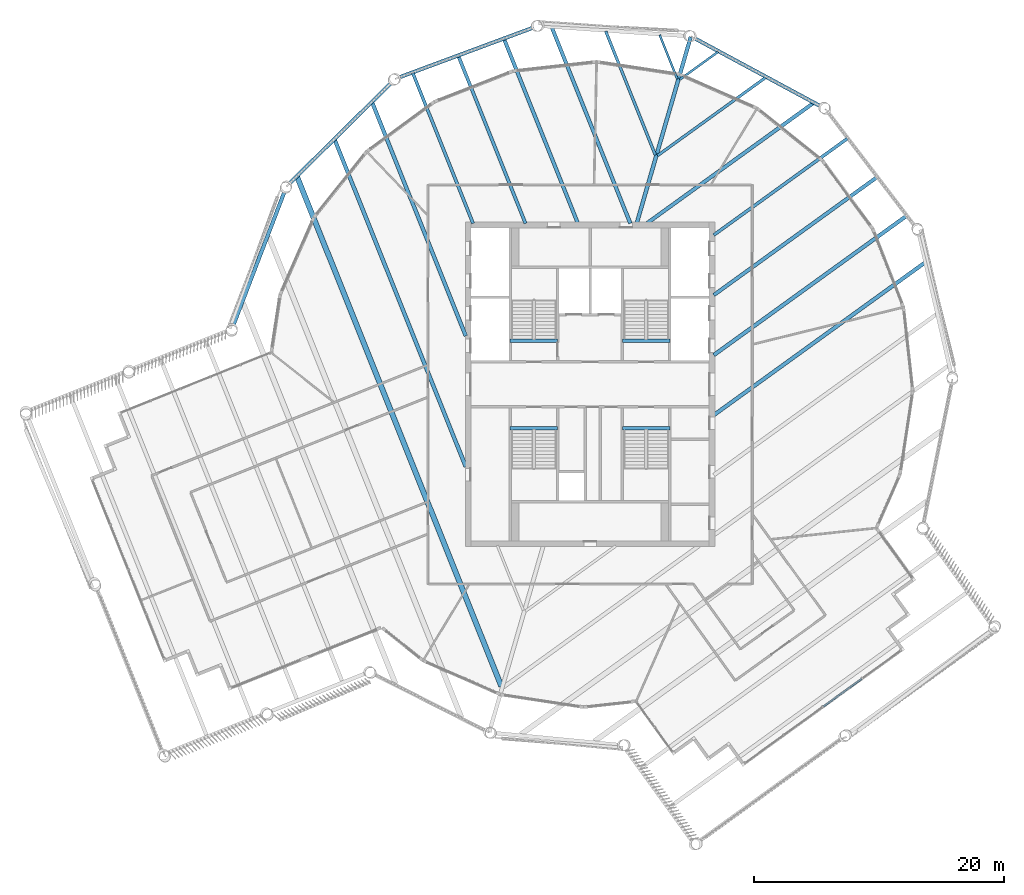
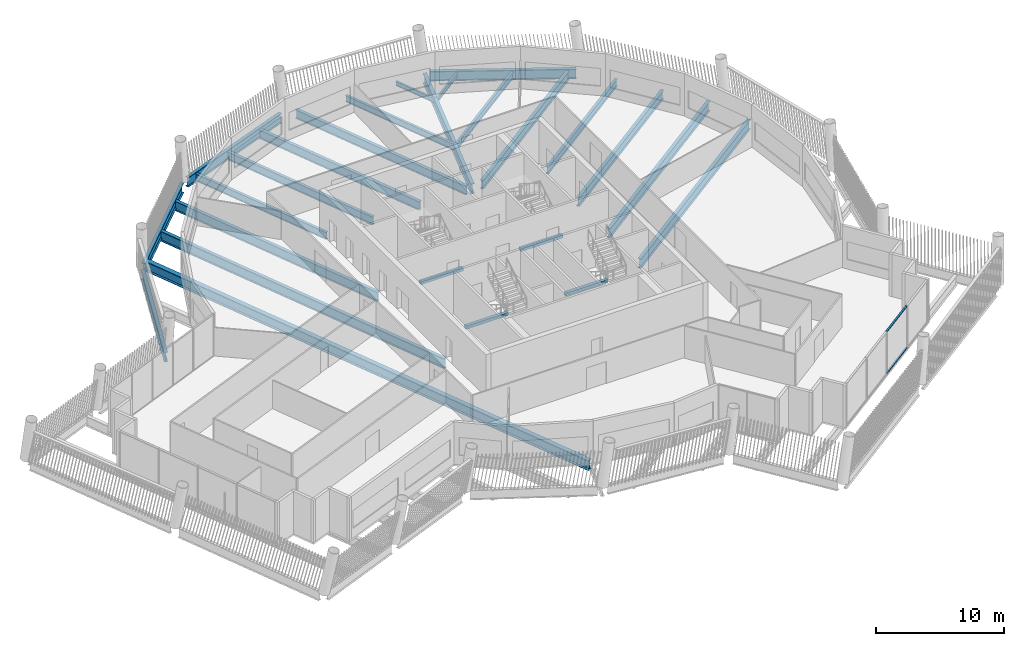
# One storey, part 13 of 27: 25 beams, 2 members, 1 element without a shape of its own.
"""IFC4 building model written with IfcOpenShell, lengths in metres."""

from ifc_helpers import new_model, si_unit, direction, frame, origin, origin_2d, place, context, subcontext, project, spatial, rectangle, hollow_rectangle, i_section, extrude, material, layer, layer_set, material_profile, profile_set, type_object, element, aggregate, save


model = new_model("IFC4")

# Units and contexts
model_context = context("Model", 3, precision=1e-05, world=origin(), true_north=direction((0.0, 1.0)))
body_context = subcontext(model_context, "Body", "Model", "MODEL_VIEW")
ifc_project = project(units=[si_unit("LENGTHUNIT", "METRE"), si_unit("AREAUNIT", "SQUARE_METRE"), si_unit("VOLUMEUNIT", "CUBIC_METRE"), si_unit("PLANEANGLEUNIT", "RADIAN"), si_unit("MASSUNIT", "GRAM", prefix="KILO")], contexts=[model_context])

# Site, building, storey
site_placement = place(None, origin())
site = spatial("IfcSite", under=ifc_project, at=site_placement, CompositionType="ELEMENT")
building_placement = place(site_placement, origin())
building = spatial("IfcBuilding", under=site, at=building_placement, Name="Tarsis Ring Headquarters", CompositionType="ELEMENT")
storey_placement = place(building_placement, frame((0.0, 0.0, 373.39990234375)))
storey = spatial("IfcBuildingStorey", under=building, at=storey_placement, Name="L88", CompositionType="ELEMENT", Elevation=373.39990234375)

# Curtain wall, members
ifc_material_1 = material(Name="Aluminium curtain wall", Category="aluminium")
ifc_layer = layer(ifc_material_1, 0.199951171875)
ifc_layer_set = layer_set([ifc_layer], Name="Curtain wall executive tip")
curtain_wall_type = type_object("IfcCurtainWallType", Name="Curtain wall executive tip", PredefinedType="NOTDEFINED", material=ifc_layer_set)
curtain_wall_placement = place(storey_placement, origin())
curtain_wall = element("IfcCurtainWall", 1, at=curtain_wall_placement, inside=storey, type_object=curtain_wall_type, Name="Curtain wall L88-11", PredefinedType="NOTDEFINED")
ifc_material_2 = material(Name="Aluminium transom", Category="aluminium")
ifc_material_profile_1 = material_profile(ifc_material_2, hollow_rectangle(XDim=0.159912109375, YDim=0.070068359375, WallThickness=0.0048828125, at=origin_2d()), Name="RHS 160x70x5")
ifc_profile_set_1 = profile_set([ifc_material_profile_1], Name="Aluminium transom")
member_type = type_object("IfcMemberType", Name="Curtain wall transom executive tip RHS 160x70x5", PredefinedType="USERDEFINED", material=ifc_profile_set_1)
member_1_placement = place(storey_placement, frame((18.69189453125, -25.819091796875, 0.03515625), z_axis=(0.810665692277, 0.585509295712, 0.0), x_axis=(-0.585509295712, 0.810665692277, 0.0)))
member_1 = element("IfcMember", 2, at=member_1_placement, type_object=member_type, Name="CW-E transom 3.1", ObjectType="TRANSOM", PredefinedType="USERDEFINED", context=body_context, shape_type="SweptSolid", body=[
    extrude(hollow_rectangle(XDim=0.159912109375, YDim=0.070068359375, WallThickness=0.0048828125, at=origin_2d()), origin(), (0.0, 0.0, 1.0), 3.804931640625),
])
member_2_placement = place(storey_placement, frame((18.69189453125, -25.819091796875, 4.005126953125), z_axis=(0.810665692277, 0.585509295712, 0.0), x_axis=(-0.585509295712, 0.810665692277, 0.0)))
member_2 = element("IfcMember", 3, at=member_2_placement, type_object=member_type, Name="CW-E transom 3.2", ObjectType="TRANSOM", PredefinedType="USERDEFINED", context=body_context, shape_type="SweptSolid", body=[
    extrude(hollow_rectangle(XDim=0.159912109375, YDim=0.070068359375, WallThickness=0.0048828125, at=origin_2d()), origin(), (0.0, 0.0, 1.0), 3.804931640625),
])
aggregate(curtain_wall, [member_1, member_2])

# Beams
ifc_material_3 = material(Name="Structural steel S355", Category="steel")
ifc_material_profile_2 = material_profile(ifc_material_3, i_section(OverallWidth=0.177734375, OverallDepth=0.406494140625, WebThickness=0.0078125, FlangeThickness=0.0126953125, at=origin_2d()), Name="W16x40")
ifc_profile_set_2 = profile_set([ifc_material_profile_2], Name="Structural steel S355")
beam_type_1 = type_object("IfcBeamType", Name="FB Floor beam W16x40", PredefinedType="JOIST", material=ifc_profile_set_2)
for number, where, z_axis, x_axis, name in (
    (4, (7.17529296875, 24.42626953125, -0.363037109375), (0.810642033547, 0.585542050964, 0.0), (-0.585542050964, 0.810642033547, 0.0), "Floor beam FB1"),
    (5, (5.5791015625, 28.012939453125, -0.363037109375), (0.372042759972, -0.928215591742, 0.0), (0.928215591742, 0.372042759972, 0.0), "Floor beam FB1"),
):
    element("IfcBeam", number, at=place(storey_placement, frame(where, z_axis=z_axis, x_axis=x_axis)), inside=storey, type_object=beam_type_1, Name=name, PredefinedType="JOIST", context=body_context, shape_type="SweptSolid", body=[
        extrude(i_section(OverallWidth=0.177734375, OverallDepth=0.406494140625, WebThickness=0.0078125, FlangeThickness=0.0126953125, at=origin_2d()), origin(), (0.0, 0.0, 1.0), 3.80810546875),
    ])
ifc_material_profile_3 = material_profile(ifc_material_3, i_section(OverallWidth=0.228271484375, OverallDepth=0.607177734375, WebThickness=0.01123046875, FlangeThickness=0.017333984375, at=origin_2d()), Name="W24x76")
ifc_profile_set_3 = profile_set([ifc_material_profile_3], Name="Structural steel S355")
beam_type_2 = type_object("IfcBeamType", Name="FB Floor beam W24x76", PredefinedType="JOIST", material=ifc_profile_set_3)
beam_1_placement = place(storey_placement, frame((5.412109375, 18.341796875, -0.46337890625), z_axis=(0.810659952551, 0.585517242555, 0.0), x_axis=(-0.585517242555, 0.810659952551, 0.0)))
element("IfcBeam", 6, at=beam_1_placement, inside=storey, type_object=beam_type_2, Name="Floor beam FB4", PredefinedType="JOIST", context=body_context, shape_type="SweptSolid", body=[
    extrude(i_section(OverallWidth=0.228271484375, OverallDepth=0.607177734375, WebThickness=0.01123046875, FlangeThickness=0.017333984375, at=origin_2d()), origin(), (0.0, 0.0, 1.0), 10.687744140625),
])
beam_2_placement = place(storey_placement, frame((1.2568359375, 28.314208984375, -0.46337890625), z_axis=(0.372008948144, -0.928229143316, 0.0), x_axis=(0.928229143316, 0.372008948144, 0.0)))
element("IfcBeam", 7, at=beam_2_placement, inside=storey, type_object=beam_type_2, Name="Floor beam FB4", PredefinedType="JOIST", context=body_context, shape_type="SweptSolid", body=[
    extrude(i_section(OverallWidth=0.228271484375, OverallDepth=0.607177734375, WebThickness=0.01123046875, FlangeThickness=0.017333984375, at=origin_2d()), origin(), (0.0, 0.0, 1.0), 10.6875),
])
ifc_material_profile_4 = material_profile(ifc_material_3, i_section(OverallWidth=0.2529296875, OverallDepth=0.67822265625, WebThickness=0.01171875, FlangeThickness=0.016357421875, at=origin_2d()), Name="W27x84")
ifc_profile_set_4 = profile_set([ifc_material_profile_4], Name="Structural steel S355")
beam_type_3 = type_object("IfcBeamType", Name="FB Floor beam W27x84", PredefinedType="JOIST", material=ifc_profile_set_4)
beam_3_placement = place(storey_placement, frame((9.9189453125, 11.97509765625, -0.4990234375), z_axis=(0.810653864477, 0.58552567152, 0.0), x_axis=(-0.58552567152, 0.810653864477, 0.0)))
element("IfcBeam", 8, at=beam_3_placement, inside=storey, type_object=beam_type_3, Name="Floor beam FB5", PredefinedType="JOIST", context=body_context, shape_type="SweptSolid", body=[
    extrude(i_section(OverallWidth=0.2529296875, OverallDepth=0.67822265625, WebThickness=0.01171875, FlangeThickness=0.016357421875, at=origin_2d()), origin(), (0.0, 0.0, 1.0), 13.198974609375),
])
beam_4_placement = place(storey_placement, frame((-14.205322265625, 24.960693359375, -0.4990234375), z_axis=(0.372016212915, -0.92822623176, 0.0), x_axis=(0.92822623176, 0.372016212915, 0.0)))
element("IfcBeam", 9, at=beam_4_placement, inside=storey, type_object=beam_type_3, Name="Floor beam FB5", PredefinedType="JOIST", context=body_context, shape_type="SweptSolid", body=[
    extrude(i_section(OverallWidth=0.2529296875, OverallDepth=0.67822265625, WebThickness=0.01171875, FlangeThickness=0.016357421875, at=origin_2d()), origin(), (0.0, 0.0, 1.0), 12.985595703125),
])
ifc_material_profile_5 = material_profile(ifc_material_3, i_section(OverallWidth=0.2666015625, OverallDepth=0.7568359375, WebThickness=0.013916015625, FlangeThickness=0.019287109375, at=origin_2d()), Name="W30x108")
ifc_profile_set_5 = profile_set([ifc_material_profile_5], Name="Structural steel S355")
beam_type_4 = type_object("IfcBeamType", Name="FB Floor beam W30x108", PredefinedType="JOIST", material=ifc_profile_set_5)
beam_5_placement = place(storey_placement, frame((-10.547607421875, 26.317626953125, -0.538330078125), z_axis=(0.372022831233, -0.928223579232, 0.0), x_axis=(0.928223579232, 0.372022831233, 0.0)))
element("IfcBeam", 10, at=beam_5_placement, inside=storey, type_object=beam_type_4, Name="Floor beam FB6", PredefinedType="JOIST", context=body_context, shape_type="SweptSolid", body=[
    extrude(i_section(OverallWidth=0.2666015625, OverallDepth=0.7568359375, WebThickness=0.013916015625, FlangeThickness=0.019287109375, at=origin_2d()), origin(), (0.0, 0.0, 1.0), 14.447265625),
])
ifc_material_profile_6 = material_profile(ifc_material_3, i_section(OverallWidth=0.2919921875, OverallDepth=0.835693359375, WebThickness=0.013916015625, FlangeThickness=0.018798828125, at=origin_2d()), Name="W33x118")
ifc_profile_set_6 = profile_set([ifc_material_profile_6], Name="Structural steel S355")
beam_type_5 = type_object("IfcBeamType", Name="FB Floor beam W33x118", PredefinedType="JOIST", material=ifc_profile_set_6)
beam_6_placement = place(storey_placement, frame((4.595947265625, 12.94140625, -0.57763671875), z_axis=(0.810654103111, 0.585525341133, 0.0), x_axis=(-0.585525341133, 0.810654103111, 0.0)))
element("IfcBeam", 11, at=beam_6_placement, inside=storey, type_object=beam_type_5, Name="Floor beam FB7", PredefinedType="JOIST", context=body_context, shape_type="SweptSolid", body=[
    extrude(i_section(OverallWidth=0.2919921875, OverallDepth=0.835693359375, WebThickness=0.013916015625, FlangeThickness=0.018798828125, at=origin_2d()), origin(), (0.0, 0.0, 1.0), 16.39892578125),
])
beam_7_placement = place(storey_placement, frame((9.9189453125, 7.164306640625, -0.57763671875), z_axis=(0.81065566047, 0.585523184979, 0.0), x_axis=(-0.585523184979, 0.81065566047, 0.0)))
element("IfcBeam", 12, at=beam_7_placement, inside=storey, type_object=beam_type_5, Name="Floor beam FB7", PredefinedType="JOIST", context=body_context, shape_type="SweptSolid", body=[
    extrude(i_section(OverallWidth=0.2919921875, OverallDepth=0.835693359375, WebThickness=0.013916015625, FlangeThickness=0.018798828125, at=origin_2d()), origin(), (0.0, 0.0, 1.0), 16.11669921875),
])
beam_8_placement = place(storey_placement, frame((-3.0654296875, 28.61572265625, -0.57763671875), z_axis=(0.372014909528, -0.928226754133, 0.0), x_axis=(0.928226754133, 0.372014909528, 0.0)))
element("IfcBeam", 13, at=beam_8_placement, inside=storey, type_object=beam_type_5, Name="Floor beam FB7", PredefinedType="JOIST", context=body_context, shape_type="SweptSolid", body=[
    extrude(i_section(OverallWidth=0.2919921875, OverallDepth=0.835693359375, WebThickness=0.013916015625, FlangeThickness=0.018798828125, at=origin_2d()), origin(), (0.0, 0.0, 1.0), 16.923095703125),
])
beam_9_placement = place(storey_placement, frame((-6.889892578125, 27.674560546875, -0.57763671875), z_axis=(0.372015011249, -0.928226713366, 0.0), x_axis=(0.928226713366, 0.372015011249, 0.0)))
element("IfcBeam", 14, at=beam_9_placement, inside=storey, type_object=beam_type_5, Name="Floor beam FB7", PredefinedType="JOIST", context=body_context, shape_type="SweptSolid", body=[
    extrude(i_section(OverallWidth=0.2919921875, OverallDepth=0.835693359375, WebThickness=0.013916015625, FlangeThickness=0.018798828125, at=origin_2d()), origin(), (0.0, 0.0, 1.0), 15.9091796875),
])
ifc_material_profile_7 = material_profile(ifc_material_3, i_section(OverallWidth=0.3046875, OverallDepth=0.904296875, WebThickness=0.01513671875, FlangeThickness=0.02001953125, at=origin_2d()), Name="W36x135")
ifc_profile_set_7 = profile_set([ifc_material_profile_7], Name="Structural steel S355")
beam_type_6 = type_object("IfcBeamType", Name="FB Floor beam W36x135", PredefinedType="JOIST", material=ifc_profile_set_7)
beam_10_placement = place(storey_placement, frame((9.9189453125, 2.353271484375, -0.612060546875), z_axis=(0.810655215099, 0.585523801593, 0.0), x_axis=(-0.585523801593, 0.810655215099, 0.0)))
element("IfcBeam", 15, at=beam_10_placement, inside=storey, type_object=beam_type_6, Name="Floor beam FB8", PredefinedType="JOIST", context=body_context, shape_type="SweptSolid", body=[
    extrude(i_section(OverallWidth=0.3046875, OverallDepth=0.904296875, WebThickness=0.01513671875, FlangeThickness=0.02001953125, at=origin_2d()), origin(), (0.0, 0.0, 1.0), 19.03515625),
])
beam_11_placement = place(storey_placement, frame((9.9189453125, -2.45751953125, -0.612060546875), z_axis=(0.810657007077, 0.5855213206, 0.0), x_axis=(-0.5855213206, 0.810657007077, 0.0)))
element("IfcBeam", 16, at=beam_11_placement, inside=storey, type_object=beam_type_6, Name="Floor beam FB8", PredefinedType="JOIST", context=body_context, shape_type="SweptSolid", body=[
    extrude(i_section(OverallWidth=0.3046875, OverallDepth=0.904296875, WebThickness=0.01513671875, FlangeThickness=0.02001953125, at=origin_2d()), origin(), (0.0, 0.0, 1.0), 20.85986328125),
])
beam_12_placement = place(storey_placement, frame((-17.456298828125, 22.589111328125, -0.612060546875), z_axis=(0.372007055855, -0.928229901692, 0.0), x_axis=(0.928229901692, 0.372007055855, 0.0)))
element("IfcBeam", 17, at=beam_12_placement, inside=storey, type_object=beam_type_6, Name="Floor beam FB8", PredefinedType="JOIST", context=body_context, shape_type="SweptSolid", body=[
    extrude(i_section(OverallWidth=0.3046875, OverallDepth=0.904296875, WebThickness=0.01513671875, FlangeThickness=0.02001953125, at=origin_2d()), origin(), (0.0, 0.0, 1.0), 20.14306640625),
])
ifc_material_profile_8 = material_profile(ifc_material_3, i_section(OverallWidth=0.309814453125, OverallDepth=0.949951171875, WebThickness=0.0244140625, FlangeThickness=0.0439453125, at=origin_2d()), Name="W36x256")
ifc_profile_set_8 = profile_set([ifc_material_profile_8], Name="Structural steel S355")
beam_type_7 = type_object("IfcBeamType", Name="FB Floor beam W36x256", PredefinedType="JOIST", material=ifc_profile_set_8)
beam_13_placement = place(storey_placement, frame((-20.46484375, 19.6123046875, -0.635009765625), z_axis=(0.37201087801, -0.928228369876, 0.0), x_axis=(0.928228369876, 0.37201087801, 0.0)))
element("IfcBeam", 18, at=beam_13_placement, inside=storey, type_object=beam_type_7, Name="Floor beam FB11", PredefinedType="JOIST", context=body_context, shape_type="SweptSolid", body=[
    extrude(i_section(OverallWidth=0.309814453125, OverallDepth=0.949951171875, WebThickness=0.0244140625, FlangeThickness=0.0439453125, at=origin_2d()), origin(), (0.0, 0.0, 1.0), 28.230224609375),
])
beam_type_8 = type_object("IfcBeamType", Name="FB Floor beam W36x256 spine", PredefinedType="BEAM", material=ifc_profile_set_8)
beam_14_placement = place(storey_placement, frame((8.0693359375, 27.84716796875, -0.635009765625), z_axis=(-0.278321358395, -0.960488012138, 0.0), x_axis=(0.960488012138, -0.278321358395, 0.0)))
element("IfcBeam", 19, at=beam_14_placement, inside=storey, type_object=beam_type_8, Name="Floor beam SB11", PredefinedType="BEAM", context=body_context, shape_type="SweptSolid", body=[
    extrude(i_section(OverallWidth=0.309814453125, OverallDepth=0.949951171875, WebThickness=0.0244140625, FlangeThickness=0.0439453125, at=origin_2d()), origin(), (0.0, 0.0, 1.0), 15.557861328125),
])
ifc_material_profile_9 = material_profile(ifc_material_3, i_section(OverallWidth=0.42431640625, OverallDepth=0.947509765625, WebThickness=0.02392578125, FlangeThickness=0.042724609375, at=origin_2d()), Name="W36x302")
ifc_profile_set_9 = profile_set([ifc_material_profile_9], Name="Structural steel S355")
beam_type_9 = type_object("IfcBeamType", Name="FB Floor beam W36x302", PredefinedType="JOIST", material=ifc_profile_set_9)
beam_15_placement = place(storey_placement, frame((-23.473388671875, 16.635498046875, -0.633544921875), z_axis=(0.372016402173, -0.928226155909, 0.0), x_axis=(0.928226155909, 0.372016402173, 0.0)))
element("IfcBeam", 20, at=beam_15_placement, inside=storey, type_object=beam_type_9, Name="Floor beam FB12", PredefinedType="JOIST", context=body_context, shape_type="SweptSolid", body=[
    extrude(i_section(OverallWidth=0.42431640625, OverallDepth=0.947509765625, WebThickness=0.02392578125, FlangeThickness=0.042724609375, at=origin_2d()), origin(), (0.0, 0.0, 1.0), 43.9892578125),
])
ifc_material_4 = material(Name="Concrete C40/50", Category="concrete")
ifc_material_profile_10 = material_profile(ifc_material_4, rectangle(XDim=0.300048828125, YDim=0.300048828125, at=origin_2d()), Name="Stair head beam 300x300 C40/50")
ifc_profile_set_10 = profile_set([ifc_material_profile_10], Name="Concrete C40/50")
beam_type_10 = type_object("IfcBeamType", Name="Stair head beam 300x300 C40/50", PredefinedType="BEAM", material=ifc_profile_set_10)
for number, where, z_axis, x_axis, name in (
    (21, (-6.39990234375, 3.510009765625, -0.309814453125), (1.0, 0.0, 0.0), (0.0, 1.0, 0.0), "Stair head beam L88 Firefighting stair"),
    (22, (2.60009765625, 3.510009765625, -0.309814453125), (1.0, 0.0, 0.0), (0.0, 1.0, 0.0), "Stair head beam L88 Exit stair B"),
    (23, (-6.39990234375, -3.510009765625, -0.309814453125), (1.0, 0.0, 0.0), (0.0, 1.0, 0.0), "Stair head beam L88 Exit stair C"),
    (24, (2.60009765625, -3.510009765625, -0.309814453125), (1.0, 0.0, 0.0), (0.0, 1.0, 0.0), "Stair head beam L88 Exit stair D"),
):
    element("IfcBeam", number, at=place(storey_placement, frame(where, z_axis=z_axis, x_axis=x_axis)), inside=storey, type_object=beam_type_10, Name=name, PredefinedType="BEAM", context=body_context, shape_type="SweptSolid", body=[
        extrude(rectangle(XDim=0.300048828125, YDim=0.300048828125, at=origin_2d()), origin(), (0.0, 0.0, 1.0), 3.7998046875),
    ])
ifc_material_profile_11 = material_profile(ifc_material_3, i_section(OverallWidth=0.3046875, OverallDepth=0.91943359375, WebThickness=0.017333984375, FlangeThickness=0.02783203125, at=origin_2d()), Name="W36x170")
ifc_profile_set_11 = profile_set([ifc_material_profile_11], Name="Structural steel S355")
beam_type_11 = type_object("IfcBeamType", Name="XG Ring girder W36x170", PredefinedType="BEAM", material=ifc_profile_set_11)
for number, where, z_axis, x_axis, name in (
    (25, (18.504150390625, 22.283203125, -0.459716796875), (-0.880215737669, 0.474573761558, 0.0), (-0.474573761558, -0.880215737669, 0.0), "Ring girder XG4"),
    (26, (-4.520263671875, 28.609619140625, -0.459716796875), (-0.93756149823, -0.347819546656, 0.0), (0.347819546656, -0.93756149823, 0.0), "Ring girder XG4"),
):
    element("IfcBeam", number, at=place(storey_placement, frame(where, z_axis=z_axis, x_axis=x_axis)), inside=storey, type_object=beam_type_11, Name=name, PredefinedType="BEAM", context=body_context, shape_type="SweptSolid", body=[
        extrude(i_section(OverallWidth=0.3046875, OverallDepth=0.91943359375, WebThickness=0.017333984375, FlangeThickness=0.02783203125, at=origin_2d()), origin(), (0.0, 0.0, 1.0), 11.42578125),
    ])
beam_16_placement = place(storey_placement, frame((-15.910888671875, 24.203125, -0.459716796875), z_axis=(-0.710846795948, -0.70334687935, 0.0), x_axis=(0.70334687935, -0.710846795948, 0.0)))
element("IfcBeam", 27, at=beam_16_placement, inside=storey, type_object=beam_type_11, Name="Ring girder XG4", PredefinedType="BEAM", context=body_context, shape_type="SweptSolid", body=[
    extrude(i_section(OverallWidth=0.3046875, OverallDepth=0.91943359375, WebThickness=0.017333984375, FlangeThickness=0.02783203125, at=origin_2d()), origin(), (0.0, 0.0, 1.0), 11.426025390625),
])
beam_17_placement = place(storey_placement, frame((-24.47265625, 15.492919921875, -0.459716796875), z_axis=(-0.357734489614, -0.933823342469, 0.0), x_axis=(0.933823342469, -0.357734489614, 0.0)))
element("IfcBeam", 28, at=beam_17_placement, inside=storey, type_object=beam_type_11, Name="Ring girder XG4", PredefinedType="BEAM", context=body_context, shape_type="SweptSolid", body=[
    extrude(i_section(OverallWidth=0.3046875, OverallDepth=0.91943359375, WebThickness=0.017333984375, FlangeThickness=0.02783203125, at=origin_2d()), origin(), (0.0, 0.0, 1.0), 11.42578125),
])

save(model, "model.ifc")
